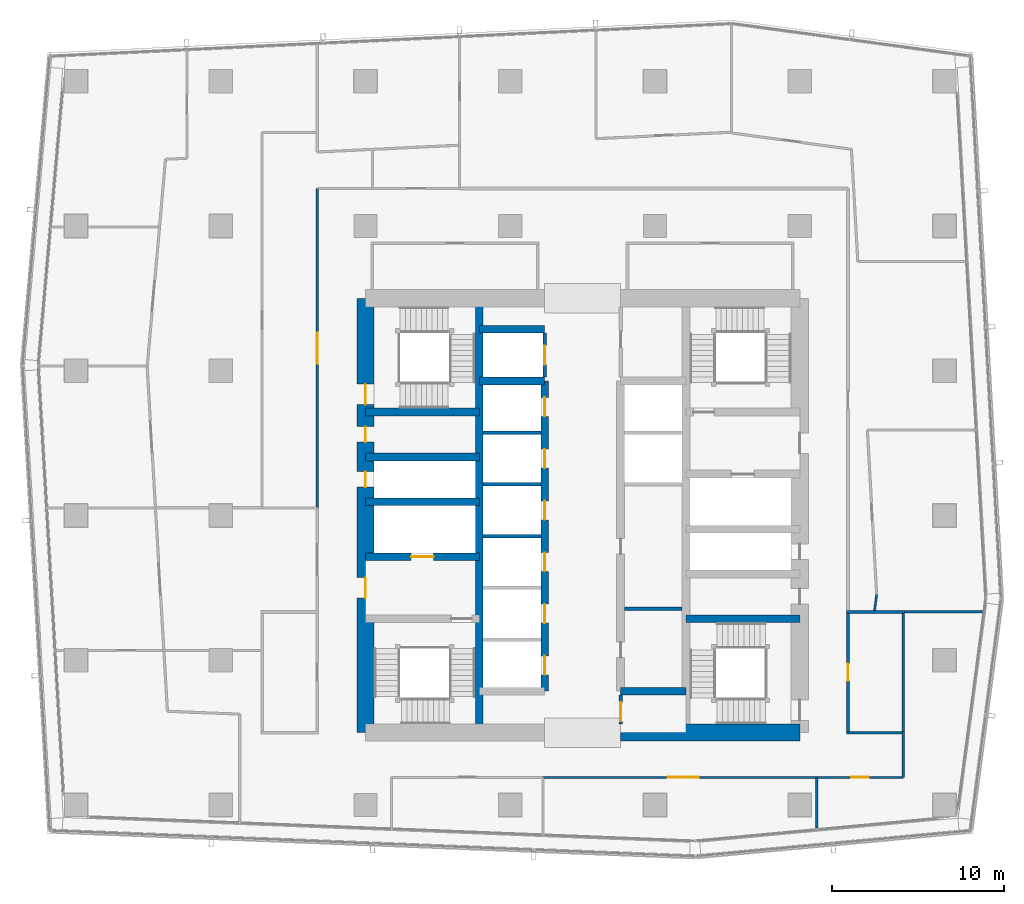
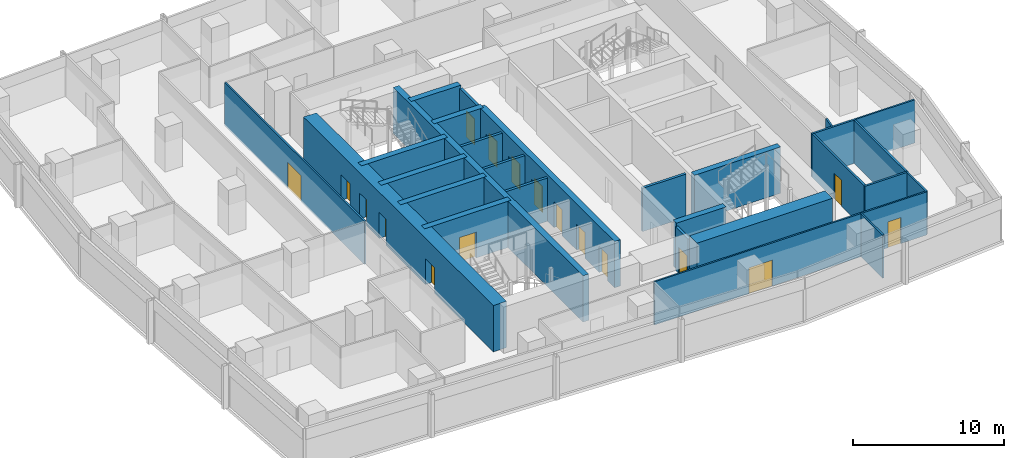
# One storey, part 28 of 39: 29 walls, 17 doors, 17 openings.
"""IFC4 building model written with IfcOpenShell, lengths in metres."""

from ifc_helpers import new_model, si_unit, direction, frame, frame_2d, origin, place, context, subcontext, project, spatial, rectangle, extrude, material, layer, layer_set, type_object, element, fill, save


model = new_model("IFC4")

# Units and contexts
model_context = context("Model", 3, precision=1e-05, world=origin(), true_north=direction((0.0, 1.0)))
body_context = subcontext(model_context, "Body", "Model", "MODEL_VIEW")
ifc_project = project(units=[si_unit("LENGTHUNIT", "METRE"), si_unit("AREAUNIT", "SQUARE_METRE"), si_unit("VOLUMEUNIT", "CUBIC_METRE"), si_unit("PLANEANGLEUNIT", "RADIAN"), si_unit("MASSUNIT", "GRAM", prefix="KILO")], contexts=[model_context])

# Site, building, storey
site_placement = place(None, origin())
site = spatial("IfcSite", under=ifc_project, at=site_placement, CompositionType="ELEMENT")
building_placement = place(site_placement, origin())
building = spatial("IfcBuilding", under=site, at=building_placement, Name="Rekha Terrace Tower", CompositionType="ELEMENT")
storey_placement = place(building_placement, frame((0.0, 0.0, 217.699951171875)))
storey = spatial("IfcBuildingStorey", under=building, at=storey_placement, Name="L55", CompositionType="ELEMENT", Elevation=217.699951171875)

# Wall
ifc_material_1 = material(Name="Concrete M60", Category="concrete")
ifc_layer_1 = layer(ifc_material_1, 0.449951171875)
ifc_layer_set_1 = layer_set([ifc_layer_1], Name="Concrete M60")
wall_type_1 = type_object("IfcWallType", Name="CI3 450 core internal shear wall", PredefinedType="SHEAR", material=ifc_layer_set_1)
wall_1_placement = place(storey_placement, frame((31.800048828125, 21.0, 0.0), z_axis=(0.0, 0.0, 1.0), x_axis=(0.0, 1.0, 0.0)))
element("IfcWall", 1, at=wall_1_placement, inside=storey, type_object=wall_type_1, Name="Core wall X318 L55", PredefinedType="SHEAR", context=body_context, shape_type="SweptSolid", body=[
    extrude(rectangle(XDim=25.199951171875, YDim=0.449951171875, at=frame_2d((12.60009765625, 0.0))), origin(), (0.0, 0.0, 1.0), 3.75),
])

# Wall, openings, doors
wall_2_placement = place(storey_placement, frame((35.60009765625, 23.39990234375, 0.0), z_axis=(0.0, 0.0, 1.0), x_axis=(0.0, 1.0, 0.0)))
wall_2 = element("IfcWall", 2, at=wall_2_placement, inside=storey, type_object=wall_type_1, Name="Core wall X356 L55", PredefinedType="SHEAR", context=body_context, shape_type="SweptSolid", body=[
    extrude(rectangle(XDim=18.0, YDim=0.449951171875, at=frame_2d((9.0, 0.0))), origin(), (0.0, 0.0, 1.0), 3.75),
])
opening_1_placement = place(wall_2_placement, frame((0.949951171875, 0.0, 0.0)))
opening_1 = element("IfcOpeningElement", 3, at=opening_1_placement, cuts=wall_2, Name="Opening LD1", PredefinedType="OPENING", context=body_context, shape_type="SweptSolid", body=[
    extrude(rectangle(XDim=1.10009765625, YDim=2.10009765625, at=frame_2d((0.550048828125, 1.050048828125))), frame((0.0, 0.23486328125, 0.0), z_axis=(0.0, -1.0, 0.0), x_axis=(1.0, 0.0, 0.0)), (0.0, 0.0, 1.0), 0.469970703125),
])
opening_2_placement = place(wall_2_placement, frame((3.949951171875, 0.0, 0.0)))
opening_2 = element("IfcOpeningElement", 4, at=opening_2_placement, cuts=wall_2, Name="Opening LD1", PredefinedType="OPENING", context=body_context, shape_type="SweptSolid", body=[
    extrude(rectangle(XDim=1.10009765625, YDim=2.10009765625, at=frame_2d((0.550048828125, 1.050048828125))), frame((0.0, 0.23486328125, 0.0), z_axis=(0.0, -1.0, 0.0), x_axis=(1.0, 0.0, 0.0)), (0.0, 0.0, 1.0), 0.469970703125),
])
opening_3_placement = place(wall_2_placement, frame((6.949951171875, 0.0, 0.0)))
opening_3 = element("IfcOpeningElement", 5, at=opening_3_placement, cuts=wall_2, Name="Opening LD1", PredefinedType="OPENING", context=body_context, shape_type="SweptSolid", body=[
    extrude(rectangle(XDim=1.10009765625, YDim=2.10009765625, at=frame_2d((0.550048828125, 1.050048828125))), frame((0.0, 0.23486328125, 0.0), z_axis=(0.0, -1.0, 0.0), x_axis=(1.0, 0.0, 0.0)), (0.0, 0.0, 1.0), 0.469970703125),
])
opening_4_placement = place(wall_2_placement, frame((9.949951171875, 0.0, 0.0)))
opening_4 = element("IfcOpeningElement", 6, at=opening_4_placement, cuts=wall_2, Name="Opening LD1", PredefinedType="OPENING", context=body_context, shape_type="SweptSolid", body=[
    extrude(rectangle(XDim=1.10009765625, YDim=2.10009765625, at=frame_2d((0.550048828125, 1.050048828125))), frame((0.0, 0.23486328125, 0.0), z_axis=(0.0, -1.0, 0.0), x_axis=(1.0, 0.0, 0.0)), (0.0, 0.0, 1.0), 0.469970703125),
])
opening_5_placement = place(wall_2_placement, frame((12.949951171875, 0.0, 0.0)))
opening_5 = element("IfcOpeningElement", 7, at=opening_5_placement, cuts=wall_2, Name="Opening LD1", PredefinedType="OPENING", context=body_context, shape_type="SweptSolid", body=[
    extrude(rectangle(XDim=1.10009765625, YDim=2.10009765625, at=frame_2d((0.550048828125, 1.050048828125))), frame((0.0, 0.23486328125, 0.0), z_axis=(0.0, -1.0, 0.0), x_axis=(1.0, 0.0, 0.0)), (0.0, 0.0, 1.0), 0.469970703125),
])
opening_6_placement = place(wall_2_placement, frame((15.949951171875, 0.0, 0.0)))
opening_6 = element("IfcOpeningElement", 8, at=opening_6_placement, cuts=wall_2, Name="Opening LD1", PredefinedType="OPENING", context=body_context, shape_type="SweptSolid", body=[
    extrude(rectangle(XDim=1.10009765625, YDim=2.10009765625, at=frame_2d((0.550048828125, 1.050048828125))), frame((0.0, 0.23486328125, 0.0), z_axis=(0.0, -1.0, 0.0), x_axis=(1.0, 0.0, 0.0)), (0.0, 0.0, 1.0), 0.469970703125),
])
ifc_material_2 = material(Name="Stainless steel sliding landing door", Category="steel")
door_type_1 = type_object("IfcDoorType", Name="LD1 1100x2100 lift landing door", OperationType="SLIDING_TO_LEFT", PredefinedType="USERDEFINED", material=ifc_material_2)
door_1_placement = place(opening_1_placement, origin())
door_1 = element("IfcDoor", 9, at=door_1_placement, inside=storey, type_object=door_type_1, Name="Lift C1 landing door L55", ObjectType="LIFT LANDING DOOR", OperationType="SLIDING_TO_LEFT", OverallHeight=2.10009765625, OverallWidth=1.10009765625, PredefinedType="USERDEFINED", context=body_context, shape_type="SweptSolid", body=[
    extrude(rectangle(XDim=1.10009765625, YDim=2.10009765625, at=frame_2d((0.550048828125, 1.050048828125))), frame((0.0, 0.02490234375, 0.0), z_axis=(0.0, -1.0, 0.0), x_axis=(1.0, 0.0, 0.0)), (0.0, 0.0, 1.0), 0.050048828125),
])
fill(opening_1, door_1)
door_2_placement = place(opening_2_placement, origin())
door_2 = element("IfcDoor", 10, at=door_2_placement, inside=storey, type_object=door_type_1, Name="Lift C2 landing door L55", ObjectType="LIFT LANDING DOOR", OperationType="SLIDING_TO_LEFT", OverallHeight=2.10009765625, OverallWidth=1.10009765625, PredefinedType="USERDEFINED", context=body_context, shape_type="SweptSolid", body=[
    extrude(rectangle(XDim=1.10009765625, YDim=2.10009765625, at=frame_2d((0.550048828125, 1.050048828125))), frame((0.0, 0.02490234375, 0.0), z_axis=(0.0, -1.0, 0.0), x_axis=(1.0, 0.0, 0.0)), (0.0, 0.0, 1.0), 0.050048828125),
])
fill(opening_2, door_2)
door_3_placement = place(opening_3_placement, origin())
door_3 = element("IfcDoor", 11, at=door_3_placement, inside=storey, type_object=door_type_1, Name="Lift C3 landing door L55", ObjectType="LIFT LANDING DOOR", OperationType="SLIDING_TO_LEFT", OverallHeight=2.10009765625, OverallWidth=1.10009765625, PredefinedType="USERDEFINED", context=body_context, shape_type="SweptSolid", body=[
    extrude(rectangle(XDim=1.10009765625, YDim=2.10009765625, at=frame_2d((0.550048828125, 1.050048828125))), frame((0.0, 0.02490234375, 0.0), z_axis=(0.0, -1.0, 0.0), x_axis=(1.0, 0.0, 0.0)), (0.0, 0.0, 1.0), 0.050048828125),
])
fill(opening_3, door_3)
door_4_placement = place(opening_4_placement, origin())
door_4 = element("IfcDoor", 12, at=door_4_placement, inside=storey, type_object=door_type_1, Name="Lift C4 landing door L55", ObjectType="LIFT LANDING DOOR", OperationType="SLIDING_TO_LEFT", OverallHeight=2.10009765625, OverallWidth=1.10009765625, PredefinedType="USERDEFINED", context=body_context, shape_type="SweptSolid", body=[
    extrude(rectangle(XDim=1.10009765625, YDim=2.10009765625, at=frame_2d((0.550048828125, 1.050048828125))), frame((0.0, 0.02490234375, 0.0), z_axis=(0.0, -1.0, 0.0), x_axis=(1.0, 0.0, 0.0)), (0.0, 0.0, 1.0), 0.050048828125),
])
fill(opening_4, door_4)
door_5_placement = place(opening_5_placement, origin())
door_5 = element("IfcDoor", 13, at=door_5_placement, inside=storey, type_object=door_type_1, Name="Lift C5 landing door L55", ObjectType="LIFT LANDING DOOR", OperationType="SLIDING_TO_LEFT", OverallHeight=2.10009765625, OverallWidth=1.10009765625, PredefinedType="USERDEFINED", context=body_context, shape_type="SweptSolid", body=[
    extrude(rectangle(XDim=1.10009765625, YDim=2.10009765625, at=frame_2d((0.550048828125, 1.050048828125))), frame((0.0, 0.02490234375, 0.0), z_axis=(0.0, -1.0, 0.0), x_axis=(1.0, 0.0, 0.0)), (0.0, 0.0, 1.0), 0.050048828125),
])
fill(opening_5, door_5)
door_6_placement = place(opening_6_placement, origin())
door_6 = element("IfcDoor", 14, at=door_6_placement, inside=storey, type_object=door_type_1, Name="Lift C6 landing door L55", ObjectType="LIFT LANDING DOOR", OperationType="SLIDING_TO_LEFT", OverallHeight=2.10009765625, OverallWidth=1.10009765625, PredefinedType="USERDEFINED", context=body_context, shape_type="SweptSolid", body=[
    extrude(rectangle(XDim=1.10009765625, YDim=2.10009765625, at=frame_2d((0.550048828125, 1.050048828125))), frame((0.0, 0.02490234375, 0.0), z_axis=(0.0, -1.0, 0.0), x_axis=(1.0, 0.0, 0.0)), (0.0, 0.0, 1.0), 0.050048828125),
])
fill(opening_6, door_6)

# Walls
for number, where, z_axis, x_axis, name in (
    (15, (31.800048828125, 41.39990234375, 0.0), (0.0, 0.0, 1.0), (1.0, 0.0, 0.0), "Core wall Y414W L55"),
    (16, (31.800048828125, 44.39990234375, 0.0), (0.0, 0.0, 1.0), (1.0, 0.0, 0.0), "Core wall Y444W L55"),
    (17, (40.0, 23.39990234375, 0.0), (0.0, 0.0, 1.0), (1.0, 0.0, 0.0), "Core wall Y234E L55"),
):
    element("IfcWall", number, at=place(storey_placement, frame(where, z_axis=z_axis, x_axis=x_axis)), inside=storey, type_object=wall_type_1, Name=name, PredefinedType="SHEAR", context=body_context, shape_type="SweptSolid", body=[
        extrude(rectangle(XDim=3.800048828125, YDim=0.449951171875, at=frame_2d((1.89990234375, 0.0))), origin(), (0.0, 0.0, 1.0), 3.75),
    ])

# Wall, opening, door
wall_3_placement = place(storey_placement, frame((25.199951171875, 31.199951171875, 0.0), z_axis=(0.0, 0.0, 1.0), x_axis=(1.0, 0.0, 0.0)))
wall_3 = element("IfcWall", 18, at=wall_3_placement, inside=storey, type_object=wall_type_1, Name="Core wall Y312W L55", PredefinedType="SHEAR", context=body_context, shape_type="SweptSolid", body=[
    extrude(rectangle(XDim=6.60009765625, YDim=0.449951171875, at=frame_2d((3.300048828125, 0.0))), origin(), (0.0, 0.0, 1.0), 3.75),
])
opening_7_placement = place(wall_3_placement, frame((2.64990234375, 0.0, 0.0)))
opening_7 = element("IfcOpeningElement", 19, at=opening_7_placement, cuts=wall_3, Name="Opening LD2", PredefinedType="OPENING", context=body_context, shape_type="SweptSolid", body=[
    extrude(rectangle(XDim=1.300048828125, YDim=2.10009765625, at=frame_2d((0.64990234375, 1.050048828125))), frame((0.0, 0.23486328125, 0.0), z_axis=(0.0, -1.0, 0.0), x_axis=(1.0, 0.0, 0.0)), (0.0, 0.0, 1.0), 0.469970703125),
])
door_type_2 = type_object("IfcDoorType", Name="LD2 1300x2100 fire lift landing door", OperationType="SLIDING_TO_LEFT", PredefinedType="USERDEFINED", material=ifc_material_2)
door_7_placement = place(opening_7_placement, origin())
door_7 = element("IfcDoor", 20, at=door_7_placement, inside=storey, type_object=door_type_2, Name="Lift FL1 landing door L55", ObjectType="LIFT LANDING DOOR", OperationType="SLIDING_TO_LEFT", OverallHeight=2.10009765625, OverallWidth=1.300048828125, PredefinedType="USERDEFINED", context=body_context, shape_type="SweptSolid", body=[
    extrude(rectangle(XDim=1.300048828125, YDim=2.10009765625, at=frame_2d((0.64990234375, 1.050048828125))), frame((0.0, 0.02490234375, 0.0), z_axis=(0.0, -1.0, 0.0), x_axis=(1.0, 0.0, 0.0)), (0.0, 0.0, 1.0), 0.050048828125),
])
fill(opening_7, door_7)

# Walls
for number, where, z_axis, x_axis, name in (
    (21, (25.199951171875, 34.39990234375, 0.0), (0.0, 0.0, 1.0), (1.0, 0.0, 0.0), "Core wall Y344W L55"),
    (22, (25.199951171875, 37.0, 0.0), (0.0, 0.0, 1.0), (1.0, 0.0, 0.0), "Core wall Y370W L55"),
    (23, (25.199951171875, 39.60009765625, 0.0), (0.0, 0.0, 1.0), (1.0, 0.0, 0.0), "Core wall Y396W L55"),
):
    element("IfcWall", number, at=place(storey_placement, frame(where, z_axis=z_axis, x_axis=x_axis)), inside=storey, type_object=wall_type_1, Name=name, PredefinedType="SHEAR", context=body_context, shape_type="SweptSolid", body=[
        extrude(rectangle(XDim=6.60009765625, YDim=0.449951171875, at=frame_2d((3.300048828125, 0.0))), origin(), (0.0, 0.0, 1.0), 3.75),
    ])
wall_4_placement = place(storey_placement, frame((43.800048828125, 27.60009765625, 0.0), z_axis=(0.0, 0.0, 1.0), x_axis=(1.0, 0.0, 0.0)))
element("IfcWall", 24, at=wall_4_placement, inside=storey, type_object=wall_type_1, Name="Core wall Y276E L55", PredefinedType="SHEAR", context=body_context, shape_type="SweptSolid", body=[
    extrude(rectangle(XDim=6.599853515625, YDim=0.449951171875, at=frame_2d((3.2998046875, 0.0))), origin(), (0.0, 0.0, 1.0), 3.75),
])
ifc_layer_2 = layer(ifc_material_1, 1.0)
ifc_layer_set_2 = layer_set([ifc_layer_2], Name="Concrete M60")
wall_type_2 = type_object("IfcWallType", Name="SW3 1000 core outer shear wall", PredefinedType="SHEAR", material=ifc_layer_set_2)
wall_5_placement = place(storey_placement, frame((40.0, 21.0, 0.0), z_axis=(0.0, 0.0, 1.0), x_axis=(1.0, 0.0, 0.0)))
element("IfcWall", 25, at=wall_5_placement, inside=storey, type_object=wall_type_2, Name="Core wall S2 L55", PredefinedType="SHEAR", context=body_context, shape_type="SweptSolid", body=[
    extrude(rectangle(XDim=10.39990234375, YDim=1.0, at=frame_2d((5.199951171875, 0.0))), origin(), (0.0, 0.0, 1.0), 3.75),
])

# Wall, openings, doors
wall_6_placement = place(storey_placement, frame((25.199951171875, 21.0, 0.0), z_axis=(0.0, 0.0, 1.0), x_axis=(0.0, 1.0, 0.0)))
wall_6 = element("IfcWall", 26, at=wall_6_placement, inside=storey, type_object=wall_type_2, Name="Core wall W L55", PredefinedType="SHEAR", context=body_context, shape_type="SweptSolid", body=[
    extrude(rectangle(XDim=25.199951171875, YDim=1.0, at=frame_2d((12.60009765625, 0.0))), origin(), (0.0, 0.0, 1.0), 3.75),
])
opening_8_placement = place(wall_6_placement, frame((7.800048828125, 0.0, 0.0)))
opening_8 = element("IfcOpeningElement", 27, at=opening_8_placement, cuts=wall_6, Name="Opening D2", PredefinedType="OPENING", context=body_context, shape_type="SweptSolid", body=[
    extrude(rectangle(XDim=1.199951171875, YDim=2.10009765625, at=frame_2d((0.60009765625, 1.050048828125))), frame((0.0, 0.510009765625, 0.0), z_axis=(0.0, -1.0, 0.0), x_axis=(1.0, 0.0, 0.0)), (0.0, 0.0, 1.0), 1.02001953125),
])
opening_9_placement = place(wall_6_placement, frame((14.25, 0.0, 0.0)))
opening_9 = element("IfcOpeningElement", 28, at=opening_9_placement, cuts=wall_6, Name="Opening D5", PredefinedType="OPENING", context=body_context, shape_type="SweptSolid", body=[
    extrude(rectangle(XDim=0.89990234375, YDim=2.10009765625, at=frame_2d((0.449951171875, 1.050048828125))), frame((0.0, 0.510009765625, 0.0), z_axis=(0.0, -1.0, 0.0), x_axis=(1.0, 0.0, 0.0)), (0.0, 0.0, 1.0), 1.02001953125),
])
opening_10_placement = place(wall_6_placement, frame((16.85009765625, 0.0, 0.0)))
opening_10 = element("IfcOpeningElement", 29, at=opening_10_placement, cuts=wall_6, Name="Opening D5", PredefinedType="OPENING", context=body_context, shape_type="SweptSolid", body=[
    extrude(rectangle(XDim=0.89990234375, YDim=2.10009765625, at=frame_2d((0.449951171875, 1.050048828125))), frame((0.0, 0.510009765625, 0.0), z_axis=(0.0, -1.0, 0.0), x_axis=(1.0, 0.0, 0.0)), (0.0, 0.0, 1.0), 1.02001953125),
])
opening_11_placement = place(wall_6_placement, frame((19.02490234375, 0.0, 0.0)))
opening_11 = element("IfcOpeningElement", 30, at=opening_11_placement, cuts=wall_6, Name="Opening D1", PredefinedType="OPENING", context=body_context, shape_type="SweptSolid", body=[
    extrude(rectangle(XDim=1.199951171875, YDim=2.10009765625, at=frame_2d((0.60009765625, 1.050048828125))), frame((0.0, 0.510009765625, 0.0), z_axis=(0.0, -1.0, 0.0), x_axis=(1.0, 0.0, 0.0)), (0.0, 0.0, 1.0), 1.02001953125),
])
ifc_material_3 = material(Name="Steel fire door", Category="steel")
door_type_3 = type_object("IfcDoorType", Name="D1 1200x2100 stair fire door", OperationType="SINGLE_SWING_RIGHT", PredefinedType="DOOR", material=ifc_material_3)
door_8_placement = place(opening_11_placement, origin())
door_8 = element("IfcDoor", 31, at=door_8_placement, inside=storey, type_object=door_type_3, Name="Stair ST4 door L55", OperationType="SINGLE_SWING_RIGHT", OverallHeight=2.10009765625, OverallWidth=1.199951171875, PredefinedType="DOOR", context=body_context, shape_type="SweptSolid", body=[
    extrude(rectangle(XDim=1.199951171875, YDim=2.10009765625, at=frame_2d((0.60009765625, 1.050048828125))), frame((0.0, 0.02490234375, 0.0), z_axis=(0.0, -1.0, 0.0), x_axis=(1.0, 0.0, 0.0)), (0.0, 0.0, 1.0), 0.050048828125),
])
fill(opening_11, door_8)
door_type_4 = type_object("IfcDoorType", Name="D2 1200x2100 firefighting lobby door", OperationType="SINGLE_SWING_LEFT", PredefinedType="DOOR", material=ifc_material_3)
door_9_placement = place(opening_8_placement, origin())
door_9 = element("IfcDoor", 32, at=door_9_placement, inside=storey, type_object=door_type_4, Name="Door flb1 L55", OperationType="SINGLE_SWING_LEFT", OverallHeight=2.10009765625, OverallWidth=1.199951171875, PredefinedType="DOOR", context=body_context, shape_type="SweptSolid", body=[
    extrude(rectangle(XDim=1.199951171875, YDim=2.10009765625, at=frame_2d((0.60009765625, 1.050048828125))), frame((0.0, 0.02490234375, 0.0), z_axis=(0.0, -1.0, 0.0), x_axis=(1.0, 0.0, 0.0)), (0.0, 0.0, 1.0), 0.050048828125),
])
fill(opening_8, door_9)
door_type_5 = type_object("IfcDoorType", Name="D5 900x2100 riser access door", OperationType="SINGLE_SWING_LEFT", PredefinedType="DOOR", material=ifc_material_3)
door_10_placement = place(opening_9_placement, origin())
door_10 = element("IfcDoor", 33, at=door_10_placement, inside=storey, type_object=door_type_5, Name="Door rs1 L55", OperationType="SINGLE_SWING_LEFT", OverallHeight=2.10009765625, OverallWidth=0.89990234375, PredefinedType="DOOR", context=body_context, shape_type="SweptSolid", body=[
    extrude(rectangle(XDim=0.89990234375, YDim=2.10009765625, at=frame_2d((0.449951171875, 1.050048828125))), frame((0.0, 0.02490234375, 0.0), z_axis=(0.0, -1.0, 0.0), x_axis=(1.0, 0.0, 0.0)), (0.0, 0.0, 1.0), 0.050048828125),
])
fill(opening_9, door_10)
door_11_placement = place(opening_10_placement, origin())
door_11 = element("IfcDoor", 34, at=door_11_placement, inside=storey, type_object=door_type_5, Name="Door elw L55", OperationType="SINGLE_SWING_LEFT", OverallHeight=2.10009765625, OverallWidth=0.89990234375, PredefinedType="DOOR", context=body_context, shape_type="SweptSolid", body=[
    extrude(rectangle(XDim=0.89990234375, YDim=2.10009765625, at=frame_2d((0.449951171875, 1.050048828125))), frame((0.0, 0.02490234375, 0.0), z_axis=(0.0, -1.0, 0.0), x_axis=(1.0, 0.0, 0.0)), (0.0, 0.0, 1.0), 0.050048828125),
])
fill(opening_10, door_11)

# Walls
ifc_material_4 = material(Name="Concrete block masonry, 1 hour", Category="masonry")
ifc_layer_3 = layer(ifc_material_4, 0.14990234375)
ifc_layer_set_3 = layer_set([ifc_layer_3], Name="Concrete block masonry, 1 hour")
wall_type_3 = type_object("IfcWallType", Name="WP2 150 tenancy partition", PredefinedType="PARTITIONING", material=ifc_layer_set_3)
for number, where, z_axis, x_axis, name in (
    (35, (53.125, 21.0, 0.0), (0.0, 0.0, 1.0), (1.0, 0.0, 0.0), "Men's WC wall L55"),
    (36, (53.125, 28.0, 0.0), (0.0, 0.0, 1.0), (1.0, 0.0, 0.0), "Men's WC wall L55"),
):
    element("IfcWall", number, at=place(storey_placement, frame(where, z_axis=z_axis, x_axis=x_axis)), inside=storey, type_object=wall_type_3, Name=name, PredefinedType="PARTITIONING", context=body_context, shape_type="SweptSolid", body=[
        extrude(rectangle(XDim=3.35009765625, YDim=0.14990234375, at=frame_2d((1.675048828125, 0.0))), origin(), (0.0, 0.0, 1.0), 3.5),
    ])

# Wall, opening, door
wall_7_placement = place(storey_placement, frame((53.199951171875, 21.074951171875, 0.0), z_axis=(0.0, 0.0, 1.0), x_axis=(0.0, 1.0, 0.0)))
wall_7 = element("IfcWall", 37, at=wall_7_placement, inside=storey, type_object=wall_type_3, Name="Men's WC wall L55", PredefinedType="PARTITIONING", context=body_context, shape_type="SweptSolid", body=[
    extrude(rectangle(XDim=6.85009765625, YDim=0.14990234375, at=frame_2d((3.425048828125, 0.0))), origin(), (0.0, 0.0, 1.0), 3.5),
])
opening_12_placement = place(wall_7_placement, frame((2.925048828125, 0.0, 0.0)))
opening_12 = element("IfcOpeningElement", 38, at=opening_12_placement, cuts=wall_7, Name="Opening D3", PredefinedType="OPENING", context=body_context, shape_type="SweptSolid", body=[
    extrude(rectangle(XDim=1.0, YDim=2.10009765625, at=frame_2d((0.5, 1.050048828125))), frame((0.0, 0.0849609375, 0.0), z_axis=(0.0, -1.0, 0.0), x_axis=(1.0, 0.0, 0.0)), (0.0, 0.0, 1.0), 0.169921875),
])
ifc_material_5 = material(Name="Laminated timber fire door", Category="wood")
door_type_6 = type_object("IfcDoorType", Name="D3 1000x2100 WC door", OperationType="SINGLE_SWING_LEFT", PredefinedType="DOOR", material=ifc_material_5)
door_12_placement = place(opening_12_placement, origin())
door_12 = element("IfcDoor", 39, at=door_12_placement, inside=storey, type_object=door_type_6, Name="Door men's wc L55", OperationType="SINGLE_SWING_LEFT", OverallHeight=2.10009765625, OverallWidth=1.0, PredefinedType="DOOR", context=body_context, shape_type="SweptSolid", body=[
    extrude(rectangle(XDim=1.0, YDim=2.10009765625, at=frame_2d((0.5, 1.050048828125))), frame((0.0, 0.02490234375, 0.0), z_axis=(0.0, -1.0, 0.0), x_axis=(1.0, 0.0, 0.0)), (0.0, 0.0, 1.0), 0.050048828125),
])
fill(opening_12, door_12)

# Wall
wall_8_placement = place(storey_placement, frame((56.39990234375, 21.074951171875, 0.0), z_axis=(0.0, 0.0, 1.0), x_axis=(0.0, 1.0, 0.0)))
element("IfcWall", 40, at=wall_8_placement, inside=storey, type_object=wall_type_3, Name="Men's WC wall L55", PredefinedType="PARTITIONING", context=body_context, shape_type="SweptSolid", body=[
    extrude(rectangle(XDim=6.85009765625, YDim=0.14990234375, at=frame_2d((3.425048828125, 0.0))), origin(), (0.0, 0.0, 1.0), 3.5),
])

# Wall, opening, door
ifc_material_6 = material(Name="Two layers of fire-rated gypsum board each side on steel studs, acoustic quilt, 1 hour", Category="steel")
ifc_layer_4 = layer(ifc_material_6, 0.125)
ifc_layer_set_4 = layer_set([ifc_layer_4], Name="Two layers of fire-rated gypsum board each side on steel studs, acoustic quilt, 1 hour")
wall_type_4 = type_object("IfcWallType", Name="WP3 125 office partition", PredefinedType="PARTITIONING", material=ifc_layer_set_4)
wall_9_placement = place(storey_placement, frame((35.508056640625, 18.39990234375, 0.0), z_axis=(0.0, 0.0, 1.0), x_axis=(1.0, 0.0, 0.0)))
wall_9 = element("IfcWall", 41, at=wall_9_placement, inside=storey, type_object=wall_type_4, Name="Partition L55-02", PredefinedType="PARTITIONING", context=body_context, shape_type="SweptSolid", body=[
    extrude(rectangle(XDim=15.875, YDim=0.125, at=frame_2d((7.9375, 0.0))), origin(), (0.0, 0.0, 1.0), 3.5),
])
opening_13_placement = place(wall_9_placement, frame((7.237060546875, 0.0, 0.0)))
opening_13 = element("IfcOpeningElement", 42, at=opening_13_placement, cuts=wall_9, Name="Opening D8", PredefinedType="OPENING", context=body_context, shape_type="SweptSolid", body=[
    extrude(rectangle(XDim=1.800048828125, YDim=2.10009765625, at=frame_2d((0.89990234375, 1.050048828125))), frame((0.0, 0.072509765625, 0.0), z_axis=(0.0, -1.0, 0.0), x_axis=(1.0, 0.0, 0.0)), (0.0, 0.0, 1.0), 0.14501953125),
])
ifc_material_7 = material(Name="Timber fire door", Category="wood")
door_type_7 = type_object("IfcDoorType", Name="D8 1800x2100 double leaf door", OperationType="DOUBLE_DOOR_SINGLE_SWING", PredefinedType="DOOR", material=ifc_material_7)
door_13_placement = place(opening_13_placement, origin())
door_13 = element("IfcDoor", 43, at=door_13_placement, inside=storey, type_object=door_type_7, Name="Door meeting room L55", OperationType="DOUBLE_DOOR_SINGLE_SWING", OverallHeight=2.10009765625, OverallWidth=1.800048828125, PredefinedType="DOOR", context=body_context, shape_type="SweptSolid", body=[
    extrude(rectangle(XDim=1.800048828125, YDim=2.10009765625, at=frame_2d((0.89990234375, 1.050048828125))), frame((0.0, 0.02490234375, 0.0), z_axis=(0.0, -1.0, 0.0), x_axis=(1.0, 0.0, 0.0)), (0.0, 0.0, 1.0), 0.050048828125),
])
fill(opening_13, door_13)

# Wall
wall_10_placement = place(storey_placement, frame((51.383056640625, 18.39990234375, 0.0), z_axis=(0.0, 0.0, 1.0), x_axis=(0.0, -1.0, 0.0)))
element("IfcWall", 44, at=wall_10_placement, inside=storey, type_object=wall_type_4, Name="Partition L55-02", PredefinedType="PARTITIONING", context=body_context, shape_type="SweptSolid", body=[
    extrude(rectangle(XDim=2.948974609375, YDim=0.125, at=frame_2d((1.474609375, 0.0))), origin(), (0.0, 0.0, 1.0), 3.5),
])

# Wall, opening, door
wall_11_placement = place(storey_placement, frame((51.383056640625, 18.39990234375, 0.0), z_axis=(0.0, 0.0, 1.0), x_axis=(1.0, 0.0, 0.0)))
wall_11 = element("IfcWall", 45, at=wall_11_placement, inside=storey, type_object=wall_type_4, Name="Partition L55-03", PredefinedType="PARTITIONING", context=body_context, shape_type="SweptSolid", body=[
    extrude(rectangle(XDim=5.016845703125, YDim=0.125, at=frame_2d((2.50830078125, 0.0))), origin(), (0.0, 0.0, 1.0), 3.5),
])
opening_14_placement = place(wall_11_placement, frame((2.008056640625, 0.0, 0.0)))
opening_14 = element("IfcOpeningElement", 46, at=opening_14_placement, cuts=wall_11, Name="Opening D9", PredefinedType="OPENING", context=body_context, shape_type="SweptSolid", body=[
    extrude(rectangle(XDim=1.0, YDim=2.10009765625, at=frame_2d((0.5, 1.050048828125))), frame((0.0, 0.072509765625, 0.0), z_axis=(0.0, -1.0, 0.0), x_axis=(1.0, 0.0, 0.0)), (0.0, 0.0, 1.0), 0.14501953125),
])
door_type_8 = type_object("IfcDoorType", Name="D9 1000x2100 office door", OperationType="SINGLE_SWING_LEFT", PredefinedType="DOOR", material=ifc_material_7)
door_14_placement = place(opening_14_placement, origin())
door_14 = element("IfcDoor", 47, at=door_14_placement, inside=storey, type_object=door_type_8, Name="Door director's office L55", OperationType="SINGLE_SWING_LEFT", OverallHeight=2.10009765625, OverallWidth=1.0, PredefinedType="DOOR", context=body_context, shape_type="SweptSolid", body=[
    extrude(rectangle(XDim=1.0, YDim=2.10009765625, at=frame_2d((0.5, 1.050048828125))), frame((0.0, 0.02490234375, 0.0), z_axis=(0.0, -1.0, 0.0), x_axis=(1.0, 0.0, 0.0)), (0.0, 0.0, 1.0), 0.050048828125),
])
fill(opening_14, door_14)

# Walls
wall_12_placement = place(storey_placement, frame((56.39990234375, 18.39990234375, 0.0), z_axis=(0.0, 0.0, 1.0), x_axis=(0.0, 1.0, 0.0)))
element("IfcWall", 48, at=wall_12_placement, inside=storey, type_object=wall_type_4, Name="Partition L55-03", PredefinedType="PARTITIONING", context=body_context, shape_type="SweptSolid", body=[
    extrude(rectangle(XDim=2.675048828125, YDim=0.125, at=frame_2d((1.33740234375, 0.0))), origin(), (0.0, 0.0, 1.0), 3.5),
])
wall_13_placement = place(storey_placement, frame((56.47607421875, 28.012939453125, 0.0), z_axis=(0.0, 0.0, 1.0), x_axis=(1.0, 0.0, 0.0)))
element("IfcWall", 49, at=wall_13_placement, inside=storey, type_object=wall_type_4, Name="Partition L55-03", PredefinedType="PARTITIONING", context=body_context, shape_type="SweptSolid", body=[
    extrude(rectangle(XDim=4.52783203125, YDim=0.125, at=frame_2d((2.263916015625, 0.0))), origin(), (0.0, 0.0, 1.0), 3.5),
])
wall_14_placement = place(storey_placement, frame((54.737060546875, 28.074951171875, 0.0), z_axis=(0.0, 0.0, 1.0), x_axis=(0.131524288557, 0.991312948326, 0.0)))
element("IfcWall", 50, at=wall_14_placement, inside=storey, type_object=wall_type_4, Name="Partition L55-04", PredefinedType="PARTITIONING", context=body_context, shape_type="SweptSolid", body=[
    extrude(rectangle(XDim=0.950439453125, YDim=0.125, at=frame_2d((0.47509765625, 0.0))), origin(), (0.0, 0.0, 1.0), 3.5),
])

# Wall, opening, door
wall_15_placement = place(storey_placement, frame((22.39990234375, 52.574951171875, 0.0), z_axis=(0.0, 0.0, 1.0), x_axis=(0.0, -1.0, 0.0)))
wall_15 = element("IfcWall", 51, at=wall_15_placement, inside=storey, type_object=wall_type_4, Name="Partition L55-13", PredefinedType="PARTITIONING", context=body_context, shape_type="SweptSolid", body=[
    extrude(rectangle(XDim=18.534912109375, YDim=0.125, at=frame_2d((9.267578125, 0.0))), origin(), (0.0, 0.0, 1.0), 3.5),
])
opening_15_placement = place(wall_15_placement, frame((8.366943359375, 0.0, 0.0)))
opening_15 = element("IfcOpeningElement", 52, at=opening_15_placement, cuts=wall_15, Name="Opening D8", PredefinedType="OPENING", context=body_context, shape_type="SweptSolid", body=[
    extrude(rectangle(XDim=1.800048828125, YDim=2.10009765625, at=frame_2d((0.89990234375, 1.050048828125))), frame((0.0, 0.072509765625, 0.0), z_axis=(0.0, -1.0, 0.0), x_axis=(1.0, 0.0, 0.0)), (0.0, 0.0, 1.0), 0.14501953125),
])
door_15_placement = place(opening_15_placement, origin())
door_15 = element("IfcDoor", 53, at=door_15_placement, inside=storey, type_object=door_type_7, Name="Door reception L55", OperationType="DOUBLE_DOOR_SINGLE_SWING", OverallHeight=2.10009765625, OverallWidth=1.800048828125, PredefinedType="DOOR", context=body_context, shape_type="SweptSolid", body=[
    extrude(rectangle(XDim=1.800048828125, YDim=2.10009765625, at=frame_2d((0.89990234375, 1.050048828125))), frame((0.0, 0.02490234375, 0.0), z_axis=(0.0, -1.0, 0.0), x_axis=(1.0, 0.0, 0.0)), (0.0, 0.0, 1.0), 0.050048828125),
])
fill(opening_15, door_15)

# Walls
ifc_material_8 = material(Name="Solid concrete block masonry, 2 hour", Category="masonry")
ifc_layer_5 = layer(ifc_material_8, 0.199951171875)
ifc_layer_set_5 = layer_set([ifc_layer_5], Name="Solid concrete block masonry, 2 hour")
wall_type_5 = type_object("IfcWallType", Name="WS1 200 stair and shaft enclosure", PredefinedType="PARTITIONING", material=ifc_layer_set_5)
for number, where, z_axis, x_axis, name in (
    (54, (32.02490234375, 32.39990234375, 0.0), (0.0, 0.0, 1.0), (1.0, 0.0, 0.0), "Lift shaft divider L55"),
    (55, (32.02490234375, 35.39990234375, 0.0), (0.0, 0.0, 1.0), (1.0, 0.0, 0.0), "Lift shaft divider L55"),
    (56, (32.02490234375, 38.39990234375, 0.0), (0.0, 0.0, 1.0), (1.0, 0.0, 0.0), "Lift shaft divider L55"),
):
    element("IfcWall", number, at=place(storey_placement, frame(where, z_axis=z_axis, x_axis=x_axis)), inside=storey, type_object=wall_type_5, Name=name, PredefinedType="PARTITIONING", context=body_context, shape_type="SweptSolid", body=[
        extrude(rectangle(XDim=3.35009765625, YDim=0.199951171875, at=frame_2d((1.675048828125, 0.0))), origin(), (0.0, 0.0, 1.0), 3.5),
    ])

# Wall, opening, door
wall_16_placement = place(storey_placement, frame((40.0, 21.5, 0.0), z_axis=(0.0, 0.0, 1.0), x_axis=(0.0, 1.0, 0.0)))
wall_16 = element("IfcWall", 57, at=wall_16_placement, inside=storey, type_object=wall_type_5, Name="Core partition wca L55", PredefinedType="PARTITIONING", context=body_context, shape_type="SweptSolid", body=[
    extrude(rectangle(XDim=1.675048828125, YDim=0.199951171875, at=frame_2d((0.83740234375, 0.0))), origin(), (0.0, 0.0, 1.0), 3.5),
])
opening_16_placement = place(wall_16_placement, frame((0.14990234375, 0.0, 0.0)))
opening_16 = element("IfcOpeningElement", 58, at=opening_16_placement, cuts=wall_16, Name="Opening D4", PredefinedType="OPENING", context=body_context, shape_type="SweptSolid", body=[
    extrude(rectangle(XDim=1.10009765625, YDim=2.10009765625, at=frame_2d((0.550048828125, 1.050048828125))), frame((0.0, 0.10986328125, 0.0), z_axis=(0.0, -1.0, 0.0), x_axis=(1.0, 0.0, 0.0)), (0.0, 0.0, 1.0), 0.219970703125),
])
door_type_9 = type_object("IfcDoorType", Name="D4 1100x2100 accessible WC door", OperationType="SLIDING_TO_LEFT", PredefinedType="DOOR", material=ifc_material_5)
door_16_placement = place(opening_16_placement, origin())
door_16 = element("IfcDoor", 59, at=door_16_placement, inside=storey, type_object=door_type_9, Name="Door wca L55", OperationType="SLIDING_TO_LEFT", OverallHeight=2.10009765625, OverallWidth=1.10009765625, PredefinedType="DOOR", context=body_context, shape_type="SweptSolid", body=[
    extrude(rectangle(XDim=1.10009765625, YDim=2.10009765625, at=frame_2d((0.550048828125, 1.050048828125))), frame((0.0, 0.02490234375, 0.0), z_axis=(0.0, -1.0, 0.0), x_axis=(1.0, 0.0, 0.0)), (0.0, 0.0, 1.0), 0.050048828125),
])
fill(opening_16, door_16)

wall_17_placement = place(storey_placement, frame((35.60009765625, 41.625, 0.0), z_axis=(0.0, 0.0, 1.0), x_axis=(0.0, 1.0, 0.0)))
wall_17 = element("IfcWall", 60, at=wall_17_placement, inside=storey, type_object=wall_type_5, Name="Core partition jansv L55", PredefinedType="PARTITIONING", context=body_context, shape_type="SweptSolid", body=[
    extrude(rectangle(XDim=2.550048828125, YDim=0.199951171875, at=frame_2d((1.27490234375, 0.0))), origin(), (0.0, 0.0, 1.0), 3.5),
])
opening_17_placement = place(wall_17_placement, frame((0.72509765625, 0.0, 0.0)))
opening_17 = element("IfcOpeningElement", 61, at=opening_17_placement, cuts=wall_17, Name="Opening LD1", PredefinedType="OPENING", context=body_context, shape_type="SweptSolid", body=[
    extrude(rectangle(XDim=1.10009765625, YDim=2.10009765625, at=frame_2d((0.550048828125, 1.050048828125))), frame((0.0, 0.10986328125, 0.0), z_axis=(0.0, -1.0, 0.0), x_axis=(1.0, 0.0, 0.0)), (0.0, 0.0, 1.0), 0.219970703125),
])
door_17_placement = place(opening_17_placement, origin())
door_17 = element("IfcDoor", 62, at=door_17_placement, inside=storey, type_object=door_type_1, Name="Lift SV1 landing door L55", ObjectType="LIFT LANDING DOOR", OperationType="SLIDING_TO_LEFT", OverallHeight=2.10009765625, OverallWidth=1.10009765625, PredefinedType="USERDEFINED", context=body_context, shape_type="SweptSolid", body=[
    extrude(rectangle(XDim=1.10009765625, YDim=2.10009765625, at=frame_2d((0.550048828125, 1.050048828125))), frame((0.0, 0.02490234375, 0.0), z_axis=(0.0, -1.0, 0.0), x_axis=(1.0, 0.0, 0.0)), (0.0, 0.0, 1.0), 0.050048828125),
])
fill(opening_17, door_17)

# Wall
wall_18_placement = place(storey_placement, frame((40.22509765625, 28.199951171875, 0.0), z_axis=(0.0, 0.0, 1.0), x_axis=(1.0, 0.0, 0.0)))
element("IfcWall", 63, at=wall_18_placement, inside=storey, type_object=wall_type_5, Name="Core partition freed shafts L55", PredefinedType="PARTITIONING", context=body_context, shape_type="SweptSolid", body=[
    extrude(rectangle(XDim=3.349853515625, YDim=0.199951171875, at=frame_2d((1.6748046875, 0.0))), origin(), (0.0, 0.0, 1.0), 3.5),
])

save(model, "model.ifc")
